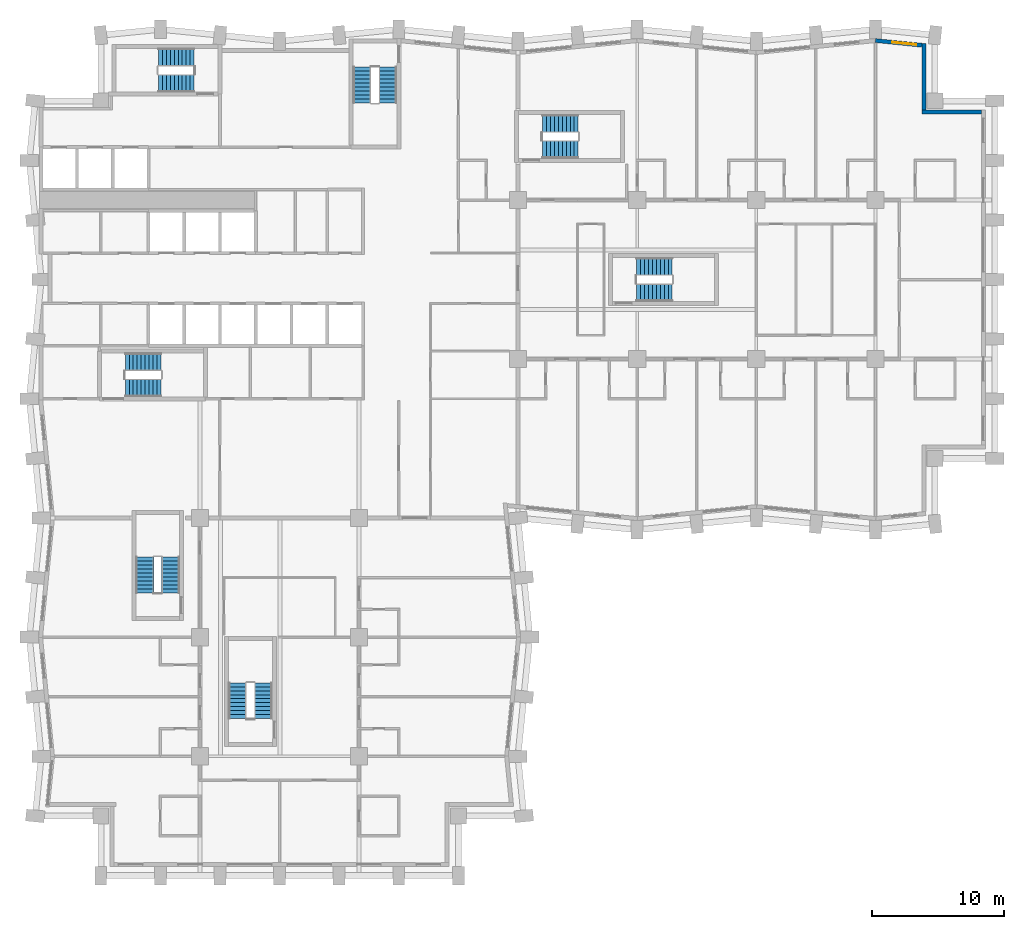
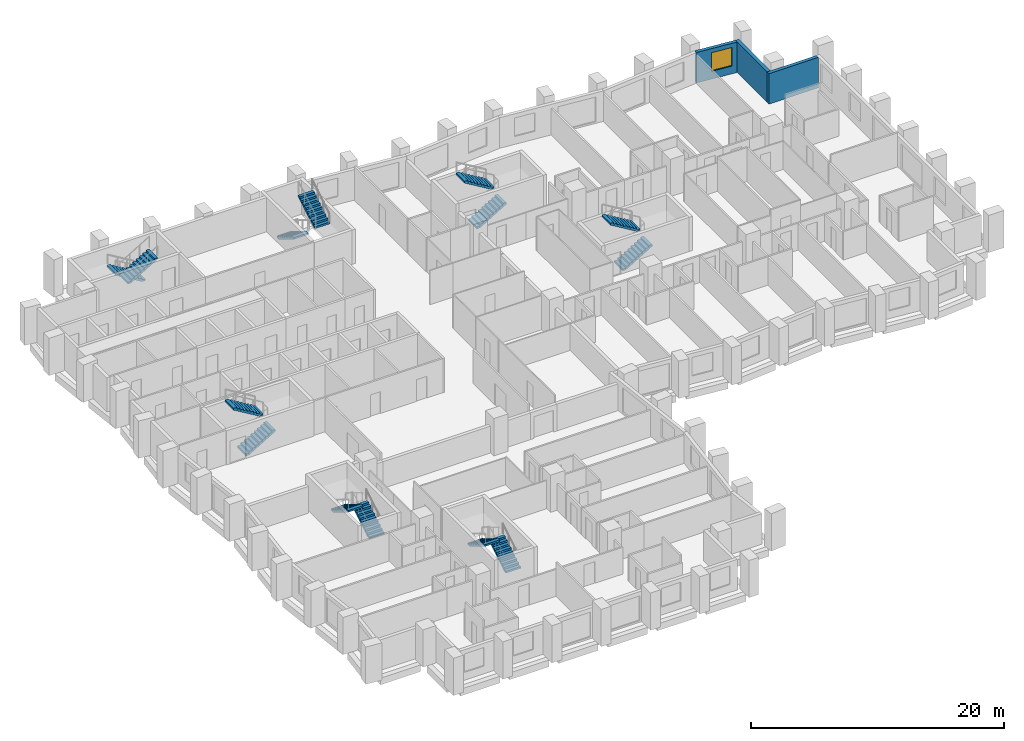
# One storey, part 11 of 13: 14 stair flights, 3 walls, 1 window, 1 opening, 7 elements without a shape of their own.
"""IFC4 building model written with IfcOpenShell, lengths in metres."""

from ifc_helpers import new_model, si_unit, direction, frame, frame_2d, origin, place, context, subcontext, project, spatial, polyline, rectangle, outline, extrude, material, layer, layer_set, type_object, element, fill, aggregate, save


model = new_model("IFC4")

# Units and contexts
model_context = context("Model", 3, precision=1e-05, world=origin(), true_north=direction((0.0, 1.0)))
body_context = subcontext(model_context, "Body", "Model", "MODEL_VIEW")
ifc_project = project(units=[si_unit("LENGTHUNIT", "METRE"), si_unit("AREAUNIT", "SQUARE_METRE"), si_unit("VOLUMEUNIT", "CUBIC_METRE"), si_unit("PLANEANGLEUNIT", "RADIAN"), si_unit("MASSUNIT", "GRAM", prefix="KILO")], contexts=[model_context])

# Site, building, storey
site_placement = place(None, origin())
site = spatial("IfcSite", under=ifc_project, at=site_placement, CompositionType="ELEMENT")
building_placement = place(site_placement, origin())
building = spatial("IfcBuilding", under=site, at=building_placement, Name="Brondeck Convention Tower", CompositionType="ELEMENT")
storey_placement = place(building_placement, frame((0.0, 0.0, 44.699951171875)))
storey = spatial("IfcBuildingStorey", under=building, at=storey_placement, Name="L08", CompositionType="ELEMENT", Elevation=44.699951171875)

# Walls
ifc_material_1 = material(Name="Precast concrete C50/60 bronze finish", Category="concrete")
ifc_layer_1 = layer(ifc_material_1, 0.070068359375, Name="Bronze precast facing")
ifc_material_2 = material(Name="Mineral wool")
ifc_layer_2 = layer(ifc_material_2, 0.159912109375, Name="Insulation")
ifc_material_3 = material(Name="Concrete C35/45", Category="concrete")
ifc_layer_3 = layer(ifc_material_3, 0.070068359375, Name="Backing")
ifc_layer_set = layer_set([ifc_layer_1, ifc_layer_2, ifc_layer_3], Name="External infill wall, precast concrete C50/60 bronze facing")
wall_type = type_object("IfcWallType", Name="External infill wall, precast concrete C50/60 bronze facing", PredefinedType="SOLIDWALL", material=ifc_layer_set)
wall_1_placement = place(storey_placement, frame((66.5, 57.64990234375, 0.0), z_axis=(0.0, 0.0, 1.0), x_axis=(1.0, 0.0, 0.0)))
element("IfcWall", 1, at=wall_1_placement, inside=storey, type_object=wall_type, Name="ENV-EW-L08-P0-NC-NEA72-01", PredefinedType="SOLIDWALL", context=body_context, shape_type="SweptSolid", body=[
    extrude(rectangle(XDim=4.5, YDim=0.300048828125, at=frame_2d((2.25, 0.0))), origin(), (0.0, 0.0, 1.0), 2.949951171875),
])
wall_2_placement = place(storey_placement, frame((66.64990234375, 62.81640625, 0.0), z_axis=(0.0, 0.0, 1.0), x_axis=(0.0, -1.0, 0.0)))
element("IfcWall", 2, at=wall_2_placement, inside=storey, type_object=wall_type, Name="ENV-EW-L08-P0-NC-NEA72-02", PredefinedType="SOLIDWALL", context=body_context, shape_type="SweptSolid", body=[
    extrude(rectangle(XDim=5.018310546875, YDim=0.300048828125, at=frame_2d((2.50927734375, 0.0))), origin(), (0.0, 0.0, 1.0), 2.949951171875),
])

# Wall, opening, window
wall_3_placement = place(storey_placement, frame((62.985107421875, 63.04736328125, 0.0), z_axis=(0.0, 0.0, 1.0), x_axis=(0.995031712439, -0.099558481511, 0.0)))
wall_3 = element("IfcWall", 3, at=wall_3_placement, inside=storey, type_object=wall_type, Name="ENV-EW-L08-P0-A-N-14", PredefinedType="SOLIDWALL", context=body_context, shape_type="SweptSolid", body=[
    extrude(rectangle(XDim=3.53125, YDim=0.300048828125, at=frame_2d((1.765625, 0.0))), origin(), (0.0, 0.0, 1.0), 2.949951171875),
])
opening_placement = place(wall_3_placement, frame((1.291259765625, 0.0, 0.75)))
opening = element("IfcOpeningElement", 4, at=opening_placement, cuts=wall_3, Name="Opening W10", PredefinedType="OPENING", context=body_context, shape_type="SweptSolid", body=[
    extrude(rectangle(XDim=1.800048828125, YDim=1.800048828125, at=frame_2d((0.89990234375, 0.89990234375))), frame((0.0, 0.159912109375, 0.0), z_axis=(0.0, -1.0, 0.0), x_axis=(1.0, 0.0, 0.0)), (0.0, 0.0, 1.0), 0.320068359375),
])
ifc_material_4 = material(Name="Bronze tinted double glazing", Category="glass")
window_type = type_object("IfcWindowType", Name="Punched window, bronze tinted", PartitioningType="SINGLE_PANEL", PredefinedType="WINDOW", material=ifc_material_4)
window_placement = place(opening_placement, origin())
window = element("IfcWindow", 5, at=window_placement, inside=storey, type_object=window_type, Name="ENV-WN-L08-P0-A-N-14", OverallHeight=1.800048828125, OverallWidth=1.800048828125, PartitioningType="SINGLE_PANEL", PredefinedType="WINDOW", context=body_context, shape_type="SweptSolid", body=[
    extrude(rectangle(XDim=1.800048828125, YDim=1.800048828125, at=frame_2d((0.89990234375, 0.89990234375))), frame((0.0, 0.030029296875, 0.0), z_axis=(0.0, -1.0, 0.0), x_axis=(1.0, 0.0, 0.0)), (0.0, 0.0, 1.0), 0.06005859375),
])
fill(opening, window)

# Stair, stair flights
ifc_material_5 = material(Name="Precast concrete C50/60", Category="concrete")
stair_type = type_object("IfcStairType", Name="Core stair 20 risers 180.00 mm riser 300 mm going 1350 wide", PredefinedType="HALF_TURN_STAIR", material=ifc_material_5)
stair_1_placement = place(storey_placement, origin())
stair_1 = element("IfcStair", 6, at=stair_1_placement, inside=storey, type_object=stair_type, Name="ST-1 L08 stair", PredefinedType="HALF_TURN_STAIR")
stair_flight_type = type_object("IfcStairFlightType", Name="Core stair flight 20 risers 180.00 mm riser 300 mm going 1350 wide", PredefinedType="STRAIGHT", material=ifc_material_5)
stair_flight_1_placement = place(storey_placement, frame((6.35009765625, 36.824951171875, 0.0), z_axis=(0.0, 0.0, 1.0), x_axis=(1.0, 0.0, 0.0)))
stair_flight_1 = element("IfcStairFlight", 7, at=stair_flight_1_placement, type_object=stair_flight_type, Name="ST-1 flight 1", NumberOfRisers=10, NumberOfTreads=9, PredefinedType="STRAIGHT", RiserHeight=0.18, TreadLength=0.3, context=body_context, shape_type="SweptSolid", body=[
    extrude(outline(polyline([(0.0, 0.0), (0.0, 0.179931640625), (0.300048828125, 0.179931640625), (0.300048828125, 0.360107421875), (0.60009765625, 0.360107421875), (0.60009765625, 0.5400390625), (0.89990234375, 0.5400390625), (0.89990234375, 0.719970703125), (1.199951171875, 0.719970703125), (1.199951171875, 0.89990234375), (1.5, 0.89990234375), (1.5, 1.080078125), (1.800048828125, 1.080078125), (1.800048828125, 1.260009765625), (2.10009765625, 1.260009765625), (2.10009765625, 1.43994140625), (2.39990234375, 1.43994140625), (2.39990234375, 1.6201171875), (2.699951171875, 1.6201171875), (2.699951171875, 1.800048828125), (2.699951171875, 1.445068359375), (0.291259765625, 0.0), (0.0, 0.0)])), frame((0.0, 0.675048828125, 0.0), z_axis=(0.0, -1.0, 0.0), x_axis=(1.0, 0.0, 0.0)), (0.0, 0.0, 1.0), 1.35009765625),
])
stair_flight_2_placement = place(storey_placement, frame((9.050048828125, 38.77490234375, 1.800048828125), z_axis=(0.0, 0.0, 1.0), x_axis=(-1.0, 0.0, 0.0)))
stair_flight_2 = element("IfcStairFlight", 8, at=stair_flight_2_placement, type_object=stair_flight_type, Name="ST-1 flight 2", NumberOfRisers=10, NumberOfTreads=9, PredefinedType="STRAIGHT", RiserHeight=0.18, TreadLength=0.3, context=body_context, shape_type="SweptSolid", body=[
    extrude(outline(polyline([(0.0, 0.0), (0.0, 0.179931640625), (0.300048828125, 0.179931640625), (0.300048828125, 0.360107421875), (0.60009765625, 0.360107421875), (0.60009765625, 0.5400390625), (0.89990234375, 0.5400390625), (0.89990234375, 0.719970703125), (1.199951171875, 0.719970703125), (1.199951171875, 0.89990234375), (1.5, 0.89990234375), (1.5, 1.080078125), (1.800048828125, 1.080078125), (1.800048828125, 1.260009765625), (2.10009765625, 1.260009765625), (2.10009765625, 1.43994140625), (2.39990234375, 1.43994140625), (2.39990234375, 1.6201171875), (2.699951171875, 1.6201171875), (2.699951171875, 1.800048828125), (2.699951171875, 1.445068359375), (0.291259765625, 0.0), (0.0, 0.0)])), frame((0.0, 0.675048828125, 0.0), z_axis=(0.0, -1.0, 0.0), x_axis=(1.0, 0.0, 0.0)), (0.0, 0.0, 1.0), 1.35009765625),
])
aggregate(stair_1, [stair_flight_1, stair_flight_2])

stair_2_placement = place(storey_placement, origin())
stair_2 = element("IfcStair", 9, at=stair_2_placement, inside=storey, type_object=stair_type, Name="ST-2 L08 stair", PredefinedType="HALF_TURN_STAIR")
stair_flight_3_placement = place(storey_placement, frame((24.22509765625, 61.050048828125, 0.0), z_axis=(0.0, 0.0, 1.0), x_axis=(0.0, -1.0, 0.0)))
stair_flight_3 = element("IfcStairFlight", 10, at=stair_flight_3_placement, type_object=stair_flight_type, Name="ST-2 flight 1", NumberOfRisers=10, NumberOfTreads=9, PredefinedType="STRAIGHT", RiserHeight=0.18, TreadLength=0.3, context=body_context, shape_type="SweptSolid", body=[
    extrude(outline(polyline([(0.0, 0.0), (0.0, 0.179931640625), (0.300048828125, 0.179931640625), (0.300048828125, 0.360107421875), (0.60009765625, 0.360107421875), (0.60009765625, 0.5400390625), (0.89990234375, 0.5400390625), (0.89990234375, 0.719970703125), (1.199951171875, 0.719970703125), (1.199951171875, 0.89990234375), (1.5, 0.89990234375), (1.5, 1.080078125), (1.800048828125, 1.080078125), (1.800048828125, 1.260009765625), (2.10009765625, 1.260009765625), (2.10009765625, 1.43994140625), (2.39990234375, 1.43994140625), (2.39990234375, 1.6201171875), (2.699951171875, 1.6201171875), (2.699951171875, 1.800048828125), (2.699951171875, 1.445068359375), (0.291259765625, 0.0), (0.0, 0.0)])), frame((0.0, 0.675048828125, 0.0), z_axis=(0.0, -1.0, 0.0), x_axis=(1.0, 0.0, 0.0)), (0.0, 0.0, 1.0), 1.35009765625),
])
stair_flight_4_placement = place(storey_placement, frame((26.175048828125, 58.35009765625, 1.800048828125), z_axis=(0.0, 0.0, 1.0), x_axis=(0.0, 1.0, 0.0)))
stair_flight_4 = element("IfcStairFlight", 11, at=stair_flight_4_placement, type_object=stair_flight_type, Name="ST-2 flight 2", NumberOfRisers=10, NumberOfTreads=9, PredefinedType="STRAIGHT", RiserHeight=0.18, TreadLength=0.3, context=body_context, shape_type="SweptSolid", body=[
    extrude(outline(polyline([(0.0, 0.0), (0.0, 0.179931640625), (0.300048828125, 0.179931640625), (0.300048828125, 0.360107421875), (0.60009765625, 0.360107421875), (0.60009765625, 0.5400390625), (0.89990234375, 0.5400390625), (0.89990234375, 0.719970703125), (1.199951171875, 0.719970703125), (1.199951171875, 0.89990234375), (1.5, 0.89990234375), (1.5, 1.080078125), (1.800048828125, 1.080078125), (1.800048828125, 1.260009765625), (2.10009765625, 1.260009765625), (2.10009765625, 1.43994140625), (2.39990234375, 1.43994140625), (2.39990234375, 1.6201171875), (2.699951171875, 1.6201171875), (2.699951171875, 1.800048828125), (2.699951171875, 1.445068359375), (0.291259765625, 0.0), (0.0, 0.0)])), frame((0.0, 0.675048828125, 0.0), z_axis=(0.0, -1.0, 0.0), x_axis=(1.0, 0.0, 0.0)), (0.0, 0.0, 1.0), 1.35009765625),
])
aggregate(stair_2, [stair_flight_3, stair_flight_4])

stair_3_placement = place(storey_placement, origin())
stair_3 = element("IfcStair", 12, at=stair_3_placement, inside=storey, type_object=stair_type, Name="ST-3 L08 stair", PredefinedType="HALF_TURN_STAIR")
stair_flight_5_placement = place(storey_placement, frame((11.550048828125, 61.77490234375, 0.0), z_axis=(0.0, 0.0, 1.0), x_axis=(-1.0, 0.0, 0.0)))
stair_flight_5 = element("IfcStairFlight", 13, at=stair_flight_5_placement, type_object=stair_flight_type, Name="ST-3 flight 1", NumberOfRisers=10, NumberOfTreads=9, PredefinedType="STRAIGHT", RiserHeight=0.18, TreadLength=0.3, context=body_context, shape_type="SweptSolid", body=[
    extrude(outline(polyline([(0.0, 0.0), (0.0, 0.179931640625), (0.300048828125, 0.179931640625), (0.300048828125, 0.360107421875), (0.60009765625, 0.360107421875), (0.60009765625, 0.5400390625), (0.89990234375, 0.5400390625), (0.89990234375, 0.719970703125), (1.199951171875, 0.719970703125), (1.199951171875, 0.89990234375), (1.5, 0.89990234375), (1.5, 1.080078125), (1.800048828125, 1.080078125), (1.800048828125, 1.260009765625), (2.10009765625, 1.260009765625), (2.10009765625, 1.43994140625), (2.39990234375, 1.43994140625), (2.39990234375, 1.6201171875), (2.699951171875, 1.6201171875), (2.699951171875, 1.800048828125), (2.699951171875, 1.445068359375), (0.291259765625, 0.0), (0.0, 0.0)])), frame((0.0, 0.675048828125, 0.0), z_axis=(0.0, -1.0, 0.0), x_axis=(1.0, 0.0, 0.0)), (0.0, 0.0, 1.0), 1.35009765625),
])
stair_flight_6_placement = place(storey_placement, frame((8.85009765625, 59.824951171875, 1.800048828125), z_axis=(0.0, 0.0, 1.0), x_axis=(1.0, 0.0, 0.0)))
stair_flight_6 = element("IfcStairFlight", 14, at=stair_flight_6_placement, type_object=stair_flight_type, Name="ST-3 flight 2", NumberOfRisers=10, NumberOfTreads=9, PredefinedType="STRAIGHT", RiserHeight=0.18, TreadLength=0.3, context=body_context, shape_type="SweptSolid", body=[
    extrude(outline(polyline([(0.0, 0.0), (0.0, 0.179931640625), (0.300048828125, 0.179931640625), (0.300048828125, 0.360107421875), (0.60009765625, 0.360107421875), (0.60009765625, 0.5400390625), (0.89990234375, 0.5400390625), (0.89990234375, 0.719970703125), (1.199951171875, 0.719970703125), (1.199951171875, 0.89990234375), (1.5, 0.89990234375), (1.5, 1.080078125), (1.800048828125, 1.080078125), (1.800048828125, 1.260009765625), (2.10009765625, 1.260009765625), (2.10009765625, 1.43994140625), (2.39990234375, 1.43994140625), (2.39990234375, 1.6201171875), (2.699951171875, 1.6201171875), (2.699951171875, 1.800048828125), (2.699951171875, 1.445068359375), (0.291259765625, 0.0), (0.0, 0.0)])), frame((0.0, 0.675048828125, 0.0), z_axis=(0.0, -1.0, 0.0), x_axis=(1.0, 0.0, 0.0)), (0.0, 0.0, 1.0), 1.35009765625),
])
aggregate(stair_3, [stair_flight_5, stair_flight_6])

stair_4_placement = place(storey_placement, origin())
stair_4 = element("IfcStair", 15, at=stair_4_placement, inside=storey, type_object=stair_type, Name="ST-AE L08 stair", PredefinedType="HALF_TURN_STAIR")
stair_flight_7_placement = place(storey_placement, frame((37.85009765625, 54.824951171875, 0.0), z_axis=(0.0, 0.0, 1.0), x_axis=(1.0, 0.0, 0.0)))
stair_flight_7 = element("IfcStairFlight", 16, at=stair_flight_7_placement, type_object=stair_flight_type, Name="ST-AE flight 1", NumberOfRisers=10, NumberOfTreads=9, PredefinedType="STRAIGHT", RiserHeight=0.18, TreadLength=0.3, context=body_context, shape_type="SweptSolid", body=[
    extrude(outline(polyline([(0.0, 0.0), (0.0, 0.179931640625), (0.300048828125, 0.179931640625), (0.300048828125, 0.360107421875), (0.60009765625, 0.360107421875), (0.60009765625, 0.5400390625), (0.89990234375, 0.5400390625), (0.89990234375, 0.719970703125), (1.199951171875, 0.719970703125), (1.199951171875, 0.89990234375), (1.5, 0.89990234375), (1.5, 1.080078125), (1.800048828125, 1.080078125), (1.800048828125, 1.260009765625), (2.10009765625, 1.260009765625), (2.10009765625, 1.43994140625), (2.39990234375, 1.43994140625), (2.39990234375, 1.6201171875), (2.699951171875, 1.6201171875), (2.699951171875, 1.800048828125), (2.699951171875, 1.445068359375), (0.291259765625, 0.0), (0.0, 0.0)])), frame((0.0, 0.675048828125, 0.0), z_axis=(0.0, -1.0, 0.0), x_axis=(1.0, 0.0, 0.0)), (0.0, 0.0, 1.0), 1.35009765625),
])
stair_flight_8_placement = place(storey_placement, frame((40.550048828125, 56.77490234375, 1.800048828125), z_axis=(0.0, 0.0, 1.0), x_axis=(-1.0, 0.0, 0.0)))
stair_flight_8 = element("IfcStairFlight", 17, at=stair_flight_8_placement, type_object=stair_flight_type, Name="ST-AE flight 2", NumberOfRisers=10, NumberOfTreads=9, PredefinedType="STRAIGHT", RiserHeight=0.18, TreadLength=0.3, context=body_context, shape_type="SweptSolid", body=[
    extrude(outline(polyline([(0.0, 0.0), (0.0, 0.179931640625), (0.300048828125, 0.179931640625), (0.300048828125, 0.360107421875), (0.60009765625, 0.360107421875), (0.60009765625, 0.5400390625), (0.89990234375, 0.5400390625), (0.89990234375, 0.719970703125), (1.199951171875, 0.719970703125), (1.199951171875, 0.89990234375), (1.5, 0.89990234375), (1.5, 1.080078125), (1.800048828125, 1.080078125), (1.800048828125, 1.260009765625), (2.10009765625, 1.260009765625), (2.10009765625, 1.43994140625), (2.39990234375, 1.43994140625), (2.39990234375, 1.6201171875), (2.699951171875, 1.6201171875), (2.699951171875, 1.800048828125), (2.699951171875, 1.445068359375), (0.291259765625, 0.0), (0.0, 0.0)])), frame((0.0, 0.675048828125, 0.0), z_axis=(0.0, -1.0, 0.0), x_axis=(1.0, 0.0, 0.0)), (0.0, 0.0, 1.0), 1.35009765625),
])
aggregate(stair_4, [stair_flight_7, stair_flight_8])

stair_5_placement = place(storey_placement, origin())
stair_5 = element("IfcStair", 18, at=stair_5_placement, inside=storey, type_object=stair_type, Name="ST-BE L08 stair", PredefinedType="HALF_TURN_STAIR")
stair_flight_9_placement = place(storey_placement, frame((9.77490234375, 21.35009765625, 0.0), z_axis=(0.0, 0.0, 1.0), x_axis=(0.0, 1.0, 0.0)))
stair_flight_9 = element("IfcStairFlight", 19, at=stair_flight_9_placement, type_object=stair_flight_type, Name="ST-BE flight 1", NumberOfRisers=10, NumberOfTreads=9, PredefinedType="STRAIGHT", RiserHeight=0.18, TreadLength=0.3, context=body_context, shape_type="SweptSolid", body=[
    extrude(outline(polyline([(0.0, 0.0), (0.0, 0.179931640625), (0.300048828125, 0.179931640625), (0.300048828125, 0.360107421875), (0.60009765625, 0.360107421875), (0.60009765625, 0.5400390625), (0.89990234375, 0.5400390625), (0.89990234375, 0.719970703125), (1.199951171875, 0.719970703125), (1.199951171875, 0.89990234375), (1.5, 0.89990234375), (1.5, 1.080078125), (1.800048828125, 1.080078125), (1.800048828125, 1.260009765625), (2.10009765625, 1.260009765625), (2.10009765625, 1.43994140625), (2.39990234375, 1.43994140625), (2.39990234375, 1.6201171875), (2.699951171875, 1.6201171875), (2.699951171875, 1.800048828125), (2.699951171875, 1.445068359375), (0.291259765625, 0.0), (0.0, 0.0)])), frame((0.0, 0.675048828125, 0.0), z_axis=(0.0, -1.0, 0.0), x_axis=(1.0, 0.0, 0.0)), (0.0, 0.0, 1.0), 1.35009765625),
])
stair_flight_10_placement = place(storey_placement, frame((7.824951171875, 24.050048828125, 1.800048828125), z_axis=(0.0, 0.0, 1.0), x_axis=(0.0, -1.0, 0.0)))
stair_flight_10 = element("IfcStairFlight", 20, at=stair_flight_10_placement, type_object=stair_flight_type, Name="ST-BE flight 2", NumberOfRisers=10, NumberOfTreads=9, PredefinedType="STRAIGHT", RiserHeight=0.18, TreadLength=0.3, context=body_context, shape_type="SweptSolid", body=[
    extrude(outline(polyline([(0.0, 0.0), (0.0, 0.179931640625), (0.300048828125, 0.179931640625), (0.300048828125, 0.360107421875), (0.60009765625, 0.360107421875), (0.60009765625, 0.5400390625), (0.89990234375, 0.5400390625), (0.89990234375, 0.719970703125), (1.199951171875, 0.719970703125), (1.199951171875, 0.89990234375), (1.5, 0.89990234375), (1.5, 1.080078125), (1.800048828125, 1.080078125), (1.800048828125, 1.260009765625), (2.10009765625, 1.260009765625), (2.10009765625, 1.43994140625), (2.39990234375, 1.43994140625), (2.39990234375, 1.6201171875), (2.699951171875, 1.6201171875), (2.699951171875, 1.800048828125), (2.699951171875, 1.445068359375), (0.291259765625, 0.0), (0.0, 0.0)])), frame((0.0, 0.675048828125, 0.0), z_axis=(0.0, -1.0, 0.0), x_axis=(1.0, 0.0, 0.0)), (0.0, 0.0, 1.0), 1.35009765625),
])
aggregate(stair_5, [stair_flight_9, stair_flight_10])

stair_6_placement = place(storey_placement, origin())
stair_6 = element("IfcStair", 21, at=stair_6_placement, inside=storey, type_object=stair_type, Name="ST-AF L08 stair", PredefinedType="HALF_TURN_STAIR")
stair_flight_11_placement = place(storey_placement, frame((44.949951171875, 44.02490234375, 0.0), z_axis=(0.0, 0.0, 1.0), x_axis=(1.0, 0.0, 0.0)))
stair_flight_11 = element("IfcStairFlight", 22, at=stair_flight_11_placement, type_object=stair_flight_type, Name="ST-AF flight 1", NumberOfRisers=10, NumberOfTreads=9, PredefinedType="STRAIGHT", RiserHeight=0.18, TreadLength=0.3, context=body_context, shape_type="SweptSolid", body=[
    extrude(outline(polyline([(0.0, 0.0), (0.0, 0.179931640625), (0.300048828125, 0.179931640625), (0.300048828125, 0.360107421875), (0.60009765625, 0.360107421875), (0.60009765625, 0.5400390625), (0.89990234375, 0.5400390625), (0.89990234375, 0.719970703125), (1.199951171875, 0.719970703125), (1.199951171875, 0.89990234375), (1.5, 0.89990234375), (1.5, 1.080078125), (1.800048828125, 1.080078125), (1.800048828125, 1.260009765625), (2.10009765625, 1.260009765625), (2.10009765625, 1.43994140625), (2.39990234375, 1.43994140625), (2.39990234375, 1.6201171875), (2.699951171875, 1.6201171875), (2.699951171875, 1.800048828125), (2.699951171875, 1.445068359375), (0.291259765625, 0.0), (0.0, 0.0)])), frame((0.0, 0.675048828125, 0.0), z_axis=(0.0, -1.0, 0.0), x_axis=(1.0, 0.0, 0.0)), (0.0, 0.0, 1.0), 1.35009765625),
])
stair_flight_12_placement = place(storey_placement, frame((47.64990234375, 45.97509765625, 1.800048828125), z_axis=(0.0, 0.0, 1.0), x_axis=(-1.0, 0.0, 0.0)))
stair_flight_12 = element("IfcStairFlight", 23, at=stair_flight_12_placement, type_object=stair_flight_type, Name="ST-AF flight 2", NumberOfRisers=10, NumberOfTreads=9, PredefinedType="STRAIGHT", RiserHeight=0.18, TreadLength=0.3, context=body_context, shape_type="SweptSolid", body=[
    extrude(outline(polyline([(0.0, 0.0), (0.0, 0.179931640625), (0.300048828125, 0.179931640625), (0.300048828125, 0.360107421875), (0.60009765625, 0.360107421875), (0.60009765625, 0.5400390625), (0.89990234375, 0.5400390625), (0.89990234375, 0.719970703125), (1.199951171875, 0.719970703125), (1.199951171875, 0.89990234375), (1.5, 0.89990234375), (1.5, 1.080078125), (1.800048828125, 1.080078125), (1.800048828125, 1.260009765625), (2.10009765625, 1.260009765625), (2.10009765625, 1.43994140625), (2.39990234375, 1.43994140625), (2.39990234375, 1.6201171875), (2.699951171875, 1.6201171875), (2.699951171875, 1.800048828125), (2.699951171875, 1.445068359375), (0.291259765625, 0.0), (0.0, 0.0)])), frame((0.0, 0.675048828125, 0.0), z_axis=(0.0, -1.0, 0.0), x_axis=(1.0, 0.0, 0.0)), (0.0, 0.0, 1.0), 1.35009765625),
])
aggregate(stair_6, [stair_flight_11, stair_flight_12])

stair_7_placement = place(storey_placement, origin())
stair_7 = element("IfcStair", 24, at=stair_7_placement, inside=storey, type_object=stair_type, Name="ST-BF L08 stair", PredefinedType="HALF_TURN_STAIR")
stair_flight_13_placement = place(storey_placement, frame((16.77490234375, 11.85009765625, 0.0), z_axis=(0.0, 0.0, 1.0), x_axis=(0.0, 1.0, 0.0)))
stair_flight_13 = element("IfcStairFlight", 25, at=stair_flight_13_placement, type_object=stair_flight_type, Name="ST-BF flight 1", NumberOfRisers=10, NumberOfTreads=9, PredefinedType="STRAIGHT", RiserHeight=0.18, TreadLength=0.3, context=body_context, shape_type="SweptSolid", body=[
    extrude(outline(polyline([(0.0, 0.0), (0.0, 0.179931640625), (0.300048828125, 0.179931640625), (0.300048828125, 0.360107421875), (0.60009765625, 0.360107421875), (0.60009765625, 0.5400390625), (0.89990234375, 0.5400390625), (0.89990234375, 0.719970703125), (1.199951171875, 0.719970703125), (1.199951171875, 0.89990234375), (1.5, 0.89990234375), (1.5, 1.080078125), (1.800048828125, 1.080078125), (1.800048828125, 1.260009765625), (2.10009765625, 1.260009765625), (2.10009765625, 1.43994140625), (2.39990234375, 1.43994140625), (2.39990234375, 1.6201171875), (2.699951171875, 1.6201171875), (2.699951171875, 1.800048828125), (2.699951171875, 1.445068359375), (0.291259765625, 0.0), (0.0, 0.0)])), frame((0.0, 0.675048828125, 0.0), z_axis=(0.0, -1.0, 0.0), x_axis=(1.0, 0.0, 0.0)), (0.0, 0.0, 1.0), 1.35009765625),
])
stair_flight_14_placement = place(storey_placement, frame((14.824951171875, 14.550048828125, 1.800048828125), z_axis=(0.0, 0.0, 1.0), x_axis=(0.0, -1.0, 0.0)))
stair_flight_14 = element("IfcStairFlight", 26, at=stair_flight_14_placement, type_object=stair_flight_type, Name="ST-BF flight 2", NumberOfRisers=10, NumberOfTreads=9, PredefinedType="STRAIGHT", RiserHeight=0.18, TreadLength=0.3, context=body_context, shape_type="SweptSolid", body=[
    extrude(outline(polyline([(0.0, 0.0), (0.0, 0.179931640625), (0.300048828125, 0.179931640625), (0.300048828125, 0.360107421875), (0.60009765625, 0.360107421875), (0.60009765625, 0.5400390625), (0.89990234375, 0.5400390625), (0.89990234375, 0.719970703125), (1.199951171875, 0.719970703125), (1.199951171875, 0.89990234375), (1.5, 0.89990234375), (1.5, 1.080078125), (1.800048828125, 1.080078125), (1.800048828125, 1.260009765625), (2.10009765625, 1.260009765625), (2.10009765625, 1.43994140625), (2.39990234375, 1.43994140625), (2.39990234375, 1.6201171875), (2.699951171875, 1.6201171875), (2.699951171875, 1.800048828125), (2.699951171875, 1.445068359375), (0.291259765625, 0.0), (0.0, 0.0)])), frame((0.0, 0.675048828125, 0.0), z_axis=(0.0, -1.0, 0.0), x_axis=(1.0, 0.0, 0.0)), (0.0, 0.0, 1.0), 1.35009765625),
])
aggregate(stair_7, [stair_flight_13, stair_flight_14])

save(model, "model.ifc")
